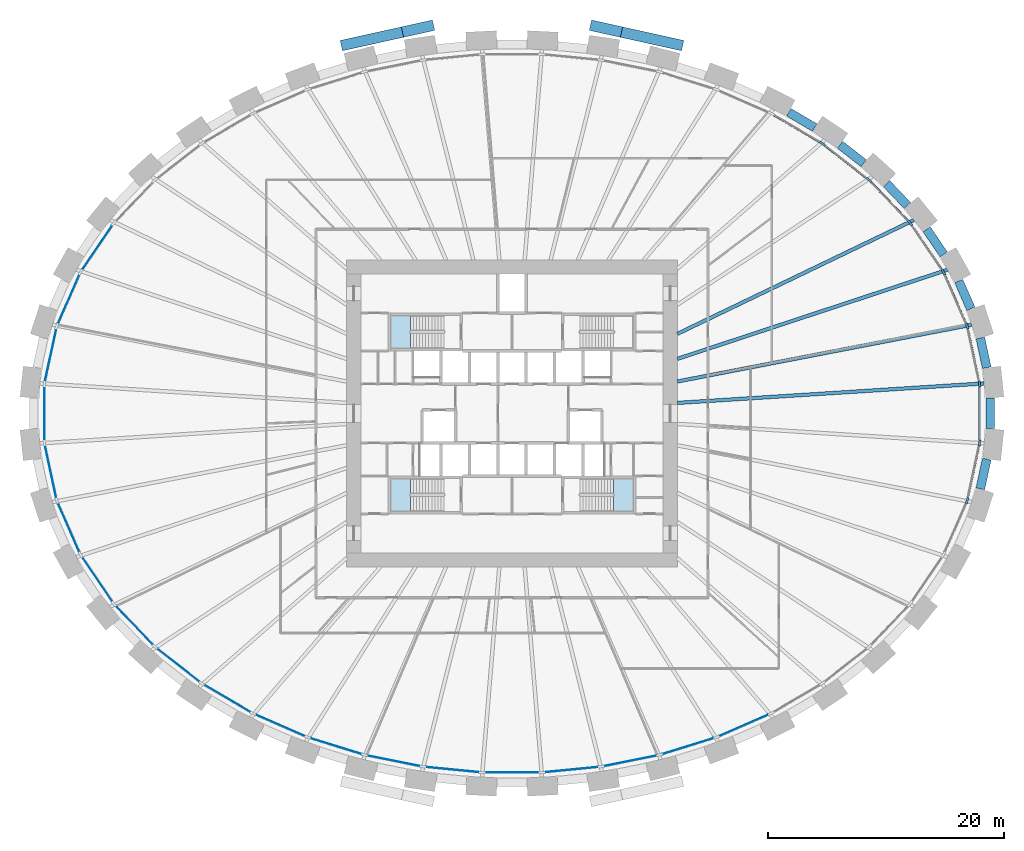
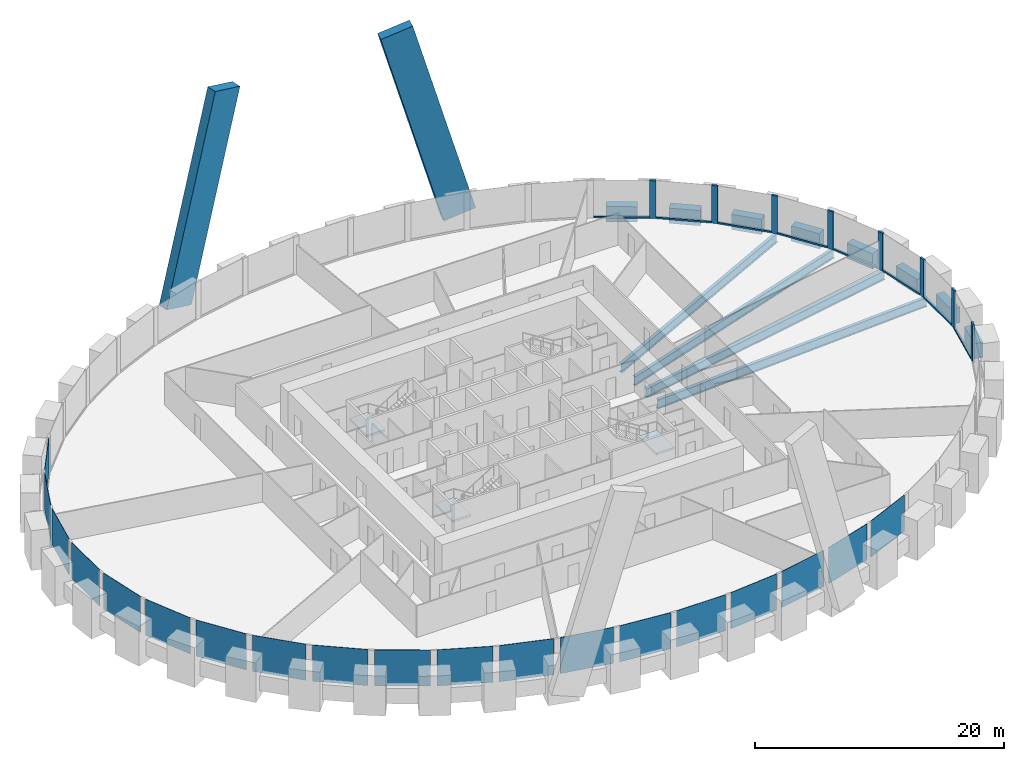
# One storey, part 4 of 11: 19 plates, 18 members, 12 beams, 3 slabs, 4 elements without a shape of their own.
"""IFC4 building model written with IfcOpenShell, lengths in metres."""

from ifc_helpers import new_model, si_unit, direction, frame, origin, origin_2d, place, context, subcontext, project, spatial, polyline, rectangle, i_section, outline, extrude, source, transform, mapped, material, layer, layer_set, material_profile, profile_set, type_object, element, aggregate, save


model = new_model("IFC4")

# Units and contexts
model_context = context("Model", 3, precision=1e-05, world=origin(), true_north=direction((0.0, 1.0)))
body_context = subcontext(model_context, "Body", "Model", "MODEL_VIEW")
ifc_project = project(units=[si_unit("LENGTHUNIT", "METRE"), si_unit("AREAUNIT", "SQUARE_METRE"), si_unit("VOLUMEUNIT", "CUBIC_METRE"), si_unit("PLANEANGLEUNIT", "RADIAN"), si_unit("MASSUNIT", "GRAM", prefix="KILO")], contexts=[model_context])

# Site, building, storey
site_placement = place(None, origin())
site = spatial("IfcSite", under=ifc_project, at=site_placement, CompositionType="ELEMENT")
building_placement = place(site_placement, origin())
building = spatial("IfcBuilding", under=site, at=building_placement, Name="Embergate Tower", CompositionType="ELEMENT")
storey_placement = place(building_placement, frame((0.0, 0.0, 73.699951171875)))
storey = spatial("IfcBuildingStorey", under=building, at=storey_placement, Name="L14", CompositionType="ELEMENT", Elevation=73.699951171875)

# Beams
ifc_material_1 = material(Name="Concrete C70", Category="concrete")
ifc_material_profile_1 = material_profile(ifc_material_1, rectangle(XDim=0.75, YDim=1.5, at=origin_2d()), Name="RC 750x1500")
ifc_profile_set_1 = profile_set([ifc_material_profile_1], Name="Concrete C70")
beam_type_1 = type_object("IfcBeamType", Name="Spandrel beam RC 750x1500 C70", PredefinedType="BEAM", material=ifc_profile_set_1)
shared_shape_1 = source(origin(), body_context, "Body", "SweptSolid", [
    extrude(rectangle(XDim=0.75, YDim=1.5, at=origin_2d()), origin(), (0.0, 0.0, 1.0), 2.5498046875),
])
beam_1_placement = place(storey_placement, frame((33.48388671875, 17.60791015625, 0.0), z_axis=(-0.689760361446, 0.724037736432, 0.0), x_axis=(-0.724037736432, -0.689760361446, 0.0)))
element("IfcBeam", 1, at=beam_1_placement, inside=storey, type_object=beam_type_1, Name="SPN-L14-03", PredefinedType="BEAM", context=body_context, shape_type="MappedRepresentation", body=[
    mapped(shared_shape_1, transform((0.0, 0.0, 0.0))),
])
shared_shape_2 = source(origin(), body_context, "Body", "SweptSolid", [
    extrude(rectangle(XDim=0.75, YDim=1.5, at=origin_2d()), origin(), (0.0, 0.0, 1.0), 2.5693359375),
])
for number, where, z_axis, x_axis, name in (
    (2, (40.201904296875, 3.87109375, 0.0), (-0.210093623492, 0.977681271871, 0.0), (-0.977681271871, -0.210093623492, 0.0), "SPN-L14-00"),
    (3, (39.662109375, -6.383056640625, 0.0), (0.210093623492, 0.977681271871, 0.0), (-0.977681271871, 0.210093623492, 0.0), "SPN-L14-42"),
):
    element("IfcBeam", number, at=place(storey_placement, frame(where, z_axis=z_axis, x_axis=x_axis)), inside=storey, type_object=beam_type_1, Name=name, PredefinedType="BEAM", context=body_context, shape_type="MappedRepresentation", body=[
        mapped(shared_shape_2, transform((0.0, 0.0, 0.0))),
    ])
shared_shape_3 = source(origin(), body_context, "Body", "SweptSolid", [
    extrude(rectangle(XDim=0.75, YDim=1.5, at=origin_2d()), origin(), (0.0, 0.0, 1.0), 2.56591796875),
])
beam_2_placement = place(storey_placement, frame((38.862060546875, 8.85693359375, 0.0), z_axis=(-0.401427690069, 0.915890719271, 0.0), x_axis=(-0.915890719271, -0.401427690069, 0.0)))
element("IfcBeam", 4, at=beam_2_placement, inside=storey, type_object=beam_type_1, Name="SPN-L14-01", PredefinedType="BEAM", context=body_context, shape_type="MappedRepresentation", body=[
    mapped(shared_shape_3, transform((0.0, 0.0, 0.0))),
])
shared_shape_4 = source(origin(), body_context, "Body", "SweptSolid", [
    extrude(rectangle(XDim=0.75, YDim=1.5, at=origin_2d()), origin(), (0.0, 0.0, 1.0), 2.556640625),
])
beam_3_placement = place(storey_placement, frame((36.555908203125, 13.471923828125, 0.0), z_axis=(-0.562432772417, 0.826843018058, 0.0), x_axis=(-0.826843018058, -0.562432772417, 0.0)))
element("IfcBeam", 5, at=beam_3_placement, inside=storey, type_object=beam_type_1, Name="SPN-L14-02", PredefinedType="BEAM", context=body_context, shape_type="MappedRepresentation", body=[
    mapped(shared_shape_4, transform((0.0, 0.0, 0.0))),
])
shared_shape_5 = source(origin(), body_context, "Body", "SweptSolid", [
    extrude(rectangle(XDim=0.75, YDim=1.5, at=origin_2d()), origin(), (0.0, 0.0, 1.0), 2.542724609375),
])
beam_4_placement = place(storey_placement, frame((29.783935546875, 21.18408203125, 0.0), z_axis=(-0.788472504965, 0.615070003264, 0.0), x_axis=(-0.615070003264, -0.788472504965, 0.0)))
element("IfcBeam", 6, at=beam_4_placement, inside=storey, type_object=beam_type_1, Name="SPN-L14-04", PredefinedType="BEAM", context=body_context, shape_type="MappedRepresentation", body=[
    mapped(shared_shape_5, transform((0.0, 0.0, 0.0))),
])
shared_shape_6 = source(origin(), body_context, "Body", "SweptSolid", [
    extrude(rectangle(XDim=0.75, YDim=1.5, at=origin_2d()), origin(), (0.0, 0.0, 1.0), 2.537109375),
])
beam_5_placement = place(storey_placement, frame((25.62890625, 24.2099609375, 0.0), z_axis=(-0.861993577549, 0.506919196978, 0.0), x_axis=(-0.506919196978, -0.861993577549, 0.0)))
element("IfcBeam", 7, at=beam_5_placement, inside=storey, type_object=beam_type_1, Name="SPN-L14-05", PredefinedType="BEAM", context=body_context, shape_type="MappedRepresentation", body=[
    mapped(shared_shape_6, transform((0.0, 0.0, 0.0))),
])
shared_shape_7 = source(origin(), body_context, "Body", "SweptSolid", [
    extrude(rectangle(XDim=0.75, YDim=1.5, at=origin_2d()), origin(), (0.0, 0.0, 1.0), 2.576171875),
])
beam_6_placement = place(storey_placement, frame((40.4970703125, -1.2880859375, 0.0), z_axis=(0.0, 1.0, 0.0), x_axis=(-1.0, 0.0, 0.0)))
element("IfcBeam", 8, at=beam_6_placement, inside=storey, type_object=beam_type_1, Name="SPN-L14-43", PredefinedType="BEAM", context=body_context, shape_type="MappedRepresentation", body=[
    mapped(shared_shape_7, transform((0.0, 0.0, 0.0))),
])
ifc_material_2 = material(Name="Steel Q355B", Category="steel")
ifc_material_profile_2 = material_profile(ifc_material_2, i_section(OverallWidth=0.300048828125, OverallDepth=0.89990234375, WebThickness=0.01611328125, FlangeThickness=0.028076171875, FilletRadius=0.028076171875, at=origin_2d()), Name="HN 900x300x16x28")
ifc_profile_set_2 = profile_set([ifc_material_profile_2], Name="Steel Q355 grade B")
beam_type_2 = type_object("IfcBeamType", Name="Radial girder HN 900x300x16x28", PredefinedType="BEAM", material=ifc_profile_set_2)
shared_shape_8 = source(origin(), body_context, "Body", "SweptSolid", [
    extrude(i_section(OverallWidth=0.300048828125, OverallDepth=0.89990234375, WebThickness=0.01611328125, FlangeThickness=0.028076171875, FilletRadius=0.028076171875, at=origin_2d()), origin(), (0.0, 0.0, 1.0), 26.034423828125),
])
beam_7_placement = place(storey_placement, frame((39.98193359375, 2.5400390625, -0.64990234375), z_axis=(-0.997986864702, -0.063420957753, 0.0), x_axis=(0.063420957753, -0.997986864702, 0.0)))
element("IfcBeam", 9, at=beam_7_placement, inside=storey, type_object=beam_type_2, Name="GIR-L14-00", PredefinedType="BEAM", context=body_context, shape_type="MappedRepresentation", body=[
    mapped(shared_shape_8, transform((0.0, 0.0, 0.0))),
])
shared_shape_9 = source(origin(), body_context, "Body", "SweptSolid", [
    extrude(i_section(OverallWidth=0.300048828125, OverallDepth=0.89990234375, WebThickness=0.01611328125, FlangeThickness=0.028076171875, FilletRadius=0.028076171875, at=origin_2d()), origin(), (0.0, 0.0, 1.0), 25.373291015625),
])
beam_8_placement = place(storey_placement, frame((38.9140625, 7.507080078125, -0.64990234375), z_axis=(-0.981896748495, -0.189416935078, 0.0), x_axis=(0.189416935078, -0.981896748495, 0.0)))
element("IfcBeam", 10, at=beam_8_placement, inside=storey, type_object=beam_type_2, Name="GIR-L14-01", PredefinedType="BEAM", context=body_context, shape_type="MappedRepresentation", body=[
    mapped(shared_shape_9, transform((0.0, 0.0, 0.0))),
])
shared_shape_10 = source(origin(), body_context, "Body", "SweptSolid", [
    extrude(i_section(OverallWidth=0.300048828125, OverallDepth=0.89990234375, WebThickness=0.01611328125, FlangeThickness=0.028076171875, FilletRadius=0.028076171875, at=origin_2d()), origin(), (0.0, 0.0, 1.0), 24.0849609375),
])
beam_9_placement = place(storey_placement, frame((36.873046875, 12.160888671875, -0.64990234375), z_axis=(-0.949680038857, -0.313221684748, 0.0), x_axis=(0.313221684748, -0.949680038857, 0.0)))
element("IfcBeam", 11, at=beam_9_placement, inside=storey, type_object=beam_type_2, Name="GIR-L14-02", PredefinedType="BEAM", context=body_context, shape_type="MappedRepresentation", body=[
    mapped(shared_shape_10, transform((0.0, 0.0, 0.0))),
])
shared_shape_11 = source(origin(), body_context, "Body", "SweptSolid", [
    extrude(i_section(OverallWidth=0.300048828125, OverallDepth=0.89990234375, WebThickness=0.01611328125, FlangeThickness=0.028076171875, FilletRadius=0.028076171875, at=origin_2d()), origin(), (0.0, 0.0, 1.0), 22.210693359375),
])
beam_10_placement = place(storey_placement, frame((34.014892578125, 16.364013671875, -0.64990234375), z_axis=(-0.90114054222, -0.433527073165, 0.0), x_axis=(0.433527073165, -0.90114054222, 0.0)))
element("IfcBeam", 12, at=beam_10_placement, inside=storey, type_object=beam_type_2, Name="GIR-L14-03", PredefinedType="BEAM", context=body_context, shape_type="MappedRepresentation", body=[
    mapped(shared_shape_11, transform((0.0, 0.0, 0.0))),
])

# Members
ifc_material_profile_3 = material_profile(ifc_material_1, rectangle(XDim=0.89990234375, YDim=2.800048828125, at=origin_2d()), Name="RC 900x2800")
ifc_profile_set_3 = profile_set([ifc_material_profile_3], Name="Concrete C70")
member_type_1 = type_object("IfcMemberType", Name="Lattice diagonal terracotta-faced RC 900x2800", PredefinedType="BRACE", material=ifc_profile_set_3)
shared_shape_12 = source(origin(), body_context, "Body", "SweptSolid", [
    extrude(rectangle(XDim=0.89990234375, YDim=2.800048828125, at=origin_2d()), origin(), (0.0, 0.0, 1.0), 19.676025390625),
])
for number, where, z_axis, x_axis, name in (
    (13, (13.136962890625, 31.43310546875, 0.032958984375), (-0.26326188812, 0.05844198016, 0.962952601751), (-0.216716091224, -0.976234672507, 0.0), "BRP-N-0-03"),
    (14, (-13.136962890625, 31.43310546875, 0.032958984375), (0.26326188812, 0.05844198016, 0.962952601751), (-0.216716091224, 0.976234672507, 0.0), "BRP-N-1-03"),
):
    element("IfcMember", number, at=place(storey_placement, frame(where, z_axis=z_axis, x_axis=x_axis)), inside=storey, type_object=member_type_1, Name=name, PredefinedType="BRACE", context=body_context, shape_type="MappedRepresentation", body=[
        mapped(shared_shape_12, transform((0.0, 0.0, 0.0))),
    ])

# Curtain wall, members, plates
ifc_material_3 = material(Name="Aluminium and glass", Category="aluminium")
curtain_wall_type = type_object("IfcCurtainWallType", Name="Recessed office glazing", PredefinedType="NOTDEFINED", material=ifc_material_3)
curtain_wall_placement = place(storey_placement, origin())
curtain_wall = element("IfcCurtainWall", 15, at=curtain_wall_placement, inside=storey, type_object=curtain_wall_type, Name="Recessed office glazing ring", ObjectType="RECESSED OFFICE GLAZING", PredefinedType="USERDEFINED")
ifc_material_4 = material(Name="Aluminium, thermally broken", Category="aluminium")
ifc_material_profile_4 = material_profile(ifc_material_4, rectangle(XDim=0.179931640625, YDim=0.52001953125, at=origin_2d()), Name="AL 520x180")
ifc_profile_set_4 = profile_set([ifc_material_profile_4], Name="Aluminium, thermally broken")
member_type_2 = type_object("IfcMemberType", Name="Office mullion", PredefinedType="MULLION", material=ifc_profile_set_4)
shared_shape_13 = source(origin(), body_context, "Body", "SweptSolid", [
    extrude(rectangle(XDim=0.179931640625, YDim=0.52001953125, at=origin_2d()), origin(), (0.0, 0.0, 1.0), 3.699951171875),
])
member_1_placement = place(storey_placement, frame((39.59521484375, 2.498291015625, 0.0), z_axis=(0.0, 0.0, 1.0), x_axis=(-0.994385324123, -0.105819786286, 0.0)))
member_1 = element("IfcMember", 16, at=member_1_placement, type_object=member_type_2, Name="CW mullion 1", PredefinedType="MULLION", context=body_context, shape_type="MappedRepresentation", body=[
    mapped(shared_shape_13, transform((0.0, 0.0, 0.0))),
])
member_2_placement = place(storey_placement, frame((38.543212890625, 7.3857421875, 0.0), z_axis=(0.0, 0.0, 1.0), x_axis=(-0.951501019702, -0.307645590748, 0.0)))
member_2 = element("IfcMember", 17, at=member_2_placement, type_object=member_type_2, Name="CW mullion 2", PredefinedType="MULLION", context=body_context, shape_type="MappedRepresentation", body=[
    mapped(shared_shape_13, transform((0.0, 0.0, 0.0))),
])
member_3_placement = place(storey_placement, frame((36.532470703125, 11.970458984375, 0.0), z_axis=(0.0, 0.0, 1.0), x_axis=(-0.875007810402, -0.484108801547, 0.0)))
member_3 = element("IfcMember", 18, at=member_3_placement, type_object=member_type_2, Name="CW mullion 3", PredefinedType="MULLION", context=body_context, shape_type="MappedRepresentation", body=[
    mapped(shared_shape_13, transform((0.0, 0.0, 0.0))),
])
member_4_placement = place(storey_placement, frame((33.712158203125, 16.11767578125, 0.0), z_axis=(0.0, 0.0, 1.0), x_axis=(-0.777880241921, -0.628412547002, 0.0)))
member_4 = element("IfcMember", 19, at=member_4_placement, type_object=member_type_2, Name="CW mullion 4", PredefinedType="MULLION", context=body_context, shape_type="MappedRepresentation", body=[
    mapped(shared_shape_13, transform((0.0, 0.0, 0.0))),
])
member_5_placement = place(storey_placement, frame((30.2451171875, 19.75341796875, 0.0), z_axis=(0.0, 0.0, 1.0), x_axis=(-0.671234296295, -0.74124524921, 0.0)))
member_5 = element("IfcMember", 20, at=member_5_placement, type_object=member_type_2, Name="CW mullion 5", PredefinedType="MULLION", context=body_context, shape_type="MappedRepresentation", body=[
    mapped(shared_shape_13, transform((0.0, 0.0, 0.0))),
])
member_6_placement = place(storey_placement, frame((26.278564453125, 22.849365234375, 0.0), z_axis=(0.0, 0.0, 1.0), x_axis=(-0.562223392005, -0.826985403428, 0.0)))
member_6 = element("IfcMember", 21, at=member_6_placement, type_object=member_type_2, Name="CW mullion 6", PredefinedType="MULLION", context=body_context, shape_type="MappedRepresentation", body=[
    mapped(shared_shape_13, transform((0.0, 0.0, 0.0))),
])
member_7_placement = place(storey_placement, frame((38.543212890625, -7.3857421875, 0.0), z_axis=(0.0, 0.0, 1.0), x_axis=(-0.951501019702, 0.307645590748, 0.0)))
member_7 = element("IfcMember", 22, at=member_7_placement, type_object=member_type_2, Name="CW mullion 43", PredefinedType="MULLION", context=body_context, shape_type="MappedRepresentation", body=[
    mapped(shared_shape_13, transform((0.0, 0.0, 0.0))),
])
member_8_placement = place(storey_placement, frame((39.59521484375, -2.498291015625, 0.0), z_axis=(0.0, 0.0, 1.0), x_axis=(-0.994385324123, 0.105819786286, 0.0)))
member_8 = element("IfcMember", 23, at=member_8_placement, type_object=member_type_2, Name="CW mullion 44", PredefinedType="MULLION", context=body_context, shape_type="MappedRepresentation", body=[
    mapped(shared_shape_13, transform((0.0, 0.0, 0.0))),
])
ifc_material_profile_5 = material_profile(ifc_material_4, rectangle(XDim=0.179931640625, YDim=0.14990234375, at=origin_2d()), Name="AL 150x180")
ifc_profile_set_5 = profile_set([ifc_material_profile_5], Name="Aluminium, thermally broken")
member_type_3 = type_object("IfcMemberType", Name="Office sill transom", PredefinedType="USERDEFINED", material=ifc_profile_set_5)
shared_shape_14 = source(origin(), body_context, "Body", "SweptSolid", [
    extrude(rectangle(XDim=0.179931640625, YDim=0.14990234375, at=origin_2d()), origin(), (0.0, 0.0, 1.0), 4.50390625),
])
member_9_placement = place(storey_placement, frame((33.53271484375, 16.305908203125, 0.074951171875), z_axis=(-0.69015852771, 0.723658211194, 0.0), x_axis=(-0.723658211194, -0.69015852771, 0.0)))
member_9 = element("IfcMember", 24, at=member_9_placement, type_object=member_type_3, Name="CW transom 4.1", ObjectType="TRANSOM", PredefinedType="USERDEFINED", context=body_context, shape_type="MappedRepresentation", body=[
    mapped(shared_shape_14, transform((0.0, 0.0, 0.0))),
])
shared_shape_15 = source(origin(), body_context, "Body", "SweptSolid", [
    extrude(rectangle(XDim=0.179931640625, YDim=0.14990234375, at=origin_2d()), origin(), (0.0, 0.0, 1.0), 4.4794921875),
])
member_10_placement = place(storey_placement, frame((39.540283203125, 2.75244140625, 0.074951171875), z_axis=(-0.210381382065, 0.977619391216, 0.0), x_axis=(-0.977619391216, -0.210381382065, 0.0)))
member_10 = element("IfcMember", 25, at=member_10_placement, type_object=member_type_3, Name="CW transom 1.1", ObjectType="TRANSOM", PredefinedType="USERDEFINED", context=body_context, shape_type="MappedRepresentation", body=[
    mapped(shared_shape_15, transform((0.0, 0.0, 0.0))),
])
member_11_placement = place(storey_placement, frame((38.597900390625, -7.131591796875, 0.074951171875), z_axis=(0.210381382065, 0.977619391216, 0.0), x_axis=(-0.977619391216, 0.210381382065, 0.0)))
member_11 = element("IfcMember", 26, at=member_11_placement, type_object=member_type_3, Name="CW transom 43.1", ObjectType="TRANSOM", PredefinedType="USERDEFINED", context=body_context, shape_type="MappedRepresentation", body=[
    mapped(shared_shape_15, transform((0.0, 0.0, 0.0))),
])
shared_shape_16 = source(origin(), body_context, "Body", "SweptSolid", [
    extrude(rectangle(XDim=0.179931640625, YDim=0.14990234375, at=origin_2d()), origin(), (0.0, 0.0, 1.0), 4.486328125),
])
member_12_placement = place(storey_placement, frame((38.43896484375, 7.623779296875, 0.074951171875), z_axis=(-0.401655089719, 0.915791018138, 0.0), x_axis=(-0.915791018138, -0.401655089719, 0.0)))
member_12 = element("IfcMember", 27, at=member_12_placement, type_object=member_type_3, Name="CW transom 2.1", ObjectType="TRANSOM", PredefinedType="USERDEFINED", context=body_context, shape_type="MappedRepresentation", body=[
    mapped(shared_shape_16, transform((0.0, 0.0, 0.0))),
])
shared_shape_17 = source(origin(), body_context, "Body", "SweptSolid", [
    extrude(rectangle(XDim=0.179931640625, YDim=0.14990234375, at=origin_2d()), origin(), (0.0, 0.0, 1.0), 4.4951171875),
])
member_13_placement = place(storey_placement, frame((36.38623046875, 12.185546875, 0.074951171875), z_axis=(-0.562347159837, 0.826901246718, 0.0), x_axis=(-0.826901246718, -0.562347159837, 0.0)))
member_13 = element("IfcMember", 28, at=member_13_placement, type_object=member_type_3, Name="CW transom 3.1", ObjectType="TRANSOM", PredefinedType="USERDEFINED", context=body_context, shape_type="MappedRepresentation", body=[
    mapped(shared_shape_17, transform((0.0, 0.0, 0.0))),
])
shared_shape_18 = source(origin(), body_context, "Body", "SweptSolid", [
    extrude(rectangle(XDim=0.179931640625, YDim=0.14990234375, at=origin_2d()), origin(), (0.0, 0.0, 1.0), 4.511474609375),
])
member_14_placement = place(storey_placement, frame((30.0400390625, 19.91357421875, 0.074951171875), z_axis=(-0.788345870827, 0.615232304052, 0.0), x_axis=(-0.615232304052, -0.788345870827, 0.0)))
member_14 = element("IfcMember", 29, at=member_14_placement, type_object=member_type_3, Name="CW transom 5.1", ObjectType="TRANSOM", PredefinedType="USERDEFINED", context=body_context, shape_type="MappedRepresentation", body=[
    mapped(shared_shape_18, transform((0.0, 0.0, 0.0))),
])
shared_shape_19 = source(origin(), body_context, "Body", "SweptSolid", [
    extrude(rectangle(XDim=0.179931640625, YDim=0.14990234375, at=origin_2d()), origin(), (0.0, 0.0, 1.0), 4.517578125),
])
member_15_placement = place(storey_placement, frame((26.054443359375, 22.981201171875, 0.074951171875), z_axis=(-0.862064774491, 0.506798110279, 0.0), x_axis=(-0.506798110279, -0.862064774491, 0.0)))
member_15 = element("IfcMember", 30, at=member_15_placement, type_object=member_type_3, Name="CW transom 6.1", ObjectType="TRANSOM", PredefinedType="USERDEFINED", context=body_context, shape_type="MappedRepresentation", body=[
    mapped(shared_shape_19, transform((0.0, 0.0, 0.0))),
])
shared_shape_20 = source(origin(), body_context, "Body", "SweptSolid", [
    extrude(rectangle(XDim=0.179931640625, YDim=0.14990234375, at=origin_2d()), origin(), (0.0, 0.0, 1.0), 4.4765625),
])
member_16_placement = place(storey_placement, frame((39.59521484375, -2.23828125, 0.074951171875), z_axis=(0.0, 1.0, 0.0), x_axis=(-1.0, 0.0, 0.0)))
member_16 = element("IfcMember", 31, at=member_16_placement, type_object=member_type_3, Name="CW transom 44.1", ObjectType="TRANSOM", PredefinedType="USERDEFINED", context=body_context, shape_type="MappedRepresentation", body=[
    mapped(shared_shape_20, transform((0.0, 0.0, 0.0))),
])
ifc_material_5 = material(Name="Triple glazing, low-emissivity coating", Category="glass")
ifc_layer_1 = layer(ifc_material_5, 0.035888671875)
ifc_layer_set_1 = layer_set([ifc_layer_1], Name="Triple glazing, low-emissivity coating")
plate_type = type_object("IfcPlateType", Name="Office glazing unit", PredefinedType="CURTAIN_PANEL", material=ifc_layer_set_1)
shared_shape_21 = source(origin(), body_context, "Body", "SweptSolid", [
    extrude(rectangle(XDim=4.50390625, YDim=0.035888671875, at=origin_2d()), origin(), (0.0, 0.0, 1.0), 3.550048828125),
])
plate_1_placement = place(storey_placement, frame((-31.978515625, -17.935546875, 0.14990234375), z_axis=(0.0, 0.0, 1.0), x_axis=(0.690129995266, -0.723685421737, 0.0)))
plate_1 = element("IfcPlate", 32, at=plate_1_placement, type_object=plate_type, Name="CW panel 26.1", PredefinedType="CURTAIN_PANEL", context=body_context, shape_type="MappedRepresentation", body=[
    mapped(shared_shape_21, transform((0.0, 0.0, 0.0))),
])
shared_shape_22 = source(origin(), body_context, "Body", "SweptSolid", [
    extrude(rectangle(XDim=4.479248046875, YDim=0.035888671875, at=origin_2d()), origin(), (0.0, 0.0, 1.0), 3.550048828125),
])
plate_2_placement = place(storey_placement, frame((-39.069091796875, 4.94189453125, 0.14990234375), z_axis=(0.0, 0.0, 1.0), x_axis=(-0.210394978653, -0.977616465163, 0.0)))
plate_2 = element("IfcPlate", 33, at=plate_2_placement, type_object=plate_type, Name="CW panel 21.1", PredefinedType="CURTAIN_PANEL", context=body_context, shape_type="MappedRepresentation", body=[
    mapped(shared_shape_22, transform((0.0, 0.0, 0.0))),
])
plate_3_placement = place(storey_placement, frame((-39.069091796875, -4.94189453125, 0.14990234375), z_axis=(0.0, 0.0, 1.0), x_axis=(0.210394978653, -0.977616465163, 0.0)))
plate_3 = element("IfcPlate", 34, at=plate_3_placement, type_object=plate_type, Name="CW panel 23.1", PredefinedType="CURTAIN_PANEL", context=body_context, shape_type="MappedRepresentation", body=[
    mapped(shared_shape_22, transform((0.0, 0.0, 0.0))),
])
shared_shape_23 = source(origin(), body_context, "Body", "SweptSolid", [
    extrude(rectangle(XDim=4.486328125, YDim=0.035888671875, at=origin_2d()), origin(), (0.0, 0.0, 1.0), 3.550048828125),
])
plate_4_placement = place(storey_placement, frame((-37.537841796875, 9.677978515625, 0.14990234375), z_axis=(0.0, 0.0, 1.0), x_axis=(-0.401647306074, -0.915794431913, 0.0)))
plate_4 = element("IfcPlate", 35, at=plate_4_placement, type_object=plate_type, Name="CW panel 20.1", PredefinedType="CURTAIN_PANEL", context=body_context, shape_type="MappedRepresentation", body=[
    mapped(shared_shape_23, transform((0.0, 0.0, 0.0))),
])
plate_5_placement = place(storey_placement, frame((-37.537841796875, -9.677978515625, 0.14990234375), z_axis=(0.0, 0.0, 1.0), x_axis=(0.401647306074, -0.915794431913, 0.0)))
plate_5 = element("IfcPlate", 36, at=plate_5_placement, type_object=plate_type, Name="CW panel 24.1", PredefinedType="CURTAIN_PANEL", context=body_context, shape_type="MappedRepresentation", body=[
    mapped(shared_shape_23, transform((0.0, 0.0, 0.0))),
])
shared_shape_24 = source(origin(), body_context, "Body", "SweptSolid", [
    extrude(rectangle(XDim=4.495361328125, YDim=0.035888671875, at=origin_2d()), origin(), (0.0, 0.0, 1.0), 3.550048828125),
])
plate_6_placement = place(storey_placement, frame((-35.122314453125, 14.044189453125, 0.14990234375), z_axis=(0.0, 0.0, 1.0), x_axis=(-0.562337412243, -0.826907875638, 0.0)))
plate_6 = element("IfcPlate", 37, at=plate_6_placement, type_object=plate_type, Name="CW panel 19.1", PredefinedType="CURTAIN_PANEL", context=body_context, shape_type="MappedRepresentation", body=[
    mapped(shared_shape_24, transform((0.0, 0.0, 0.0))),
])
plate_7_placement = place(storey_placement, frame((-35.122314453125, -14.044189453125, 0.14990234375), z_axis=(0.0, 0.0, 1.0), x_axis=(0.562337412243, -0.826907875638, 0.0)))
plate_7 = element("IfcPlate", 38, at=plate_7_placement, type_object=plate_type, Name="CW panel 25.1", PredefinedType="CURTAIN_PANEL", context=body_context, shape_type="MappedRepresentation", body=[
    mapped(shared_shape_24, transform((0.0, 0.0, 0.0))),
])
shared_shape_25 = source(origin(), body_context, "Body", "SweptSolid", [
    extrude(rectangle(XDim=4.51171875, YDim=0.035888671875, at=origin_2d()), origin(), (0.0, 0.0, 1.0), 3.550048828125),
])
plate_8_placement = place(storey_placement, frame((-28.26171875, -21.301513671875, 0.14990234375), z_axis=(0.0, 0.0, 1.0), x_axis=(0.788316897722, -0.615269427784, 0.0)))
plate_8 = element("IfcPlate", 39, at=plate_8_placement, type_object=plate_type, Name="CW panel 27.1", PredefinedType="CURTAIN_PANEL", context=body_context, shape_type="MappedRepresentation", body=[
    mapped(shared_shape_25, transform((0.0, 0.0, 0.0))),
])
shared_shape_26 = source(origin(), body_context, "Body", "SweptSolid", [
    extrude(rectangle(XDim=4.517578125, YDim=0.035888671875, at=origin_2d()), origin(), (0.0, 0.0, 1.0), 3.550048828125),
])
plate_9_placement = place(storey_placement, frame((-24.107177734375, -24.1259765625, 0.14990234375), z_axis=(0.0, 0.0, 1.0), x_axis=(0.862050514108, -0.506822366443, 0.0)))
plate_9 = element("IfcPlate", 40, at=plate_9_placement, type_object=plate_type, Name="CW panel 28.1", PredefinedType="CURTAIN_PANEL", context=body_context, shape_type="MappedRepresentation", body=[
    mapped(shared_shape_26, transform((0.0, 0.0, 0.0))),
])
shared_shape_27 = source(origin(), body_context, "Body", "SweptSolid", [
    extrude(rectangle(XDim=4.522216796875, YDim=0.035888671875, at=origin_2d()), origin(), (0.0, 0.0, 1.0), 3.550048828125),
])
plate_10_placement = place(storey_placement, frame((-19.6259765625, -26.41259765625, 0.14990234375), z_axis=(0.0, 0.0, 1.0), x_axis=(0.91623411399, -0.400643293168, 0.0)))
plate_10 = element("IfcPlate", 41, at=plate_10_placement, type_object=plate_type, Name="CW panel 29.1", PredefinedType="CURTAIN_PANEL", context=body_context, shape_type="MappedRepresentation", body=[
    mapped(shared_shape_27, transform((0.0, 0.0, 0.0))),
])
plate_11_placement = place(storey_placement, frame((19.6259765625, -26.41259765625, 0.14990234375), z_axis=(0.0, 0.0, 1.0), x_axis=(0.91623411399, 0.400643293168, 0.0)))
plate_11 = element("IfcPlate", 42, at=plate_11_placement, type_object=plate_type, Name="CW panel 37.1", PredefinedType="CURTAIN_PANEL", context=body_context, shape_type="MappedRepresentation", body=[
    mapped(shared_shape_27, transform((0.0, 0.0, 0.0))),
])
shared_shape_28 = source(origin(), body_context, "Body", "SweptSolid", [
    extrude(rectangle(XDim=4.525390625, YDim=0.035888671875, at=origin_2d()), origin(), (0.0, 0.0, 1.0), 3.550048828125),
])
plate_12_placement = place(storey_placement, frame((-14.9072265625, -28.172607421875, 0.14990234375), z_axis=(0.0, 0.0, 1.0), x_axis=(0.954771179262, -0.297341546458, 0.0)))
plate_12 = element("IfcPlate", 43, at=plate_12_placement, type_object=plate_type, Name="CW panel 30.1", PredefinedType="CURTAIN_PANEL", context=body_context, shape_type="MappedRepresentation", body=[
    mapped(shared_shape_28, transform((0.0, 0.0, 0.0))),
])
plate_13_placement = place(storey_placement, frame((14.9072265625, -28.172607421875, 0.14990234375), z_axis=(0.0, 0.0, 1.0), x_axis=(0.954771179262, 0.297341546458, 0.0)))
plate_13 = element("IfcPlate", 44, at=plate_13_placement, type_object=plate_type, Name="CW panel 36.1", PredefinedType="CURTAIN_PANEL", context=body_context, shape_type="MappedRepresentation", body=[
    mapped(shared_shape_28, transform((0.0, 0.0, 0.0))),
])
shared_shape_29 = source(origin(), body_context, "Body", "SweptSolid", [
    extrude(rectangle(XDim=4.527587890625, YDim=0.035888671875, at=origin_2d()), origin(), (0.0, 0.0, 1.0), 3.550048828125),
])
plate_14_placement = place(storey_placement, frame((-10.024169921875, -29.419189453125, 0.14990234375), z_axis=(0.0, 0.0, 1.0), x_axis=(0.980475221003, -0.196642673395, 0.0)))
plate_14 = element("IfcPlate", 45, at=plate_14_placement, type_object=plate_type, Name="CW panel 31.1", PredefinedType="CURTAIN_PANEL", context=body_context, shape_type="MappedRepresentation", body=[
    mapped(shared_shape_29, transform((0.0, 0.0, 0.0))),
])
plate_15_placement = place(storey_placement, frame((10.024169921875, -29.419189453125, 0.14990234375), z_axis=(0.0, 0.0, 1.0), x_axis=(0.980475221003, 0.196642673395, 0.0)))
plate_15 = element("IfcPlate", 46, at=plate_15_placement, type_object=plate_type, Name="CW panel 35.1", PredefinedType="CURTAIN_PANEL", context=body_context, shape_type="MappedRepresentation", body=[
    mapped(shared_shape_29, transform((0.0, 0.0, 0.0))),
])
shared_shape_30 = source(origin(), body_context, "Body", "SweptSolid", [
    extrude(rectangle(XDim=4.529052734375, YDim=0.035888671875, at=origin_2d()), origin(), (0.0, 0.0, 1.0), 3.550048828125),
])
plate_16_placement = place(storey_placement, frame((-5.037109375, -30.162353515625, 0.14990234375), z_axis=(0.0, 0.0, 1.0), x_axis=(0.995203014042, -0.097831287645, 0.0)))
plate_16 = element("IfcPlate", 47, at=plate_16_placement, type_object=plate_type, Name="CW panel 32.1", PredefinedType="CURTAIN_PANEL", context=body_context, shape_type="MappedRepresentation", body=[
    mapped(shared_shape_30, transform((0.0, 0.0, 0.0))),
])
plate_17_placement = place(storey_placement, frame((5.037109375, -30.162353515625, 0.14990234375), z_axis=(0.0, 0.0, 1.0), x_axis=(0.995203014042, 0.097831287645, 0.0)))
plate_17 = element("IfcPlate", 48, at=plate_17_placement, type_object=plate_type, Name="CW panel 34.1", PredefinedType="CURTAIN_PANEL", context=body_context, shape_type="MappedRepresentation", body=[
    mapped(shared_shape_30, transform((0.0, 0.0, 0.0))),
])
shared_shape_31 = source(origin(), body_context, "Body", "SweptSolid", [
    extrude(rectangle(XDim=4.529296875, YDim=0.035888671875, at=origin_2d()), origin(), (0.0, 0.0, 1.0), 3.550048828125),
])
plate_18_placement = place(storey_placement, frame((0.0, -30.409423828125, 0.14990234375), z_axis=(0.0, 0.0, 1.0), x_axis=(1.0, 0.0, 0.0)))
plate_18 = element("IfcPlate", 49, at=plate_18_placement, type_object=plate_type, Name="CW panel 33.1", PredefinedType="CURTAIN_PANEL", context=body_context, shape_type="MappedRepresentation", body=[
    mapped(shared_shape_31, transform((0.0, 0.0, 0.0))),
])
shared_shape_32 = source(origin(), body_context, "Body", "SweptSolid", [
    extrude(rectangle(XDim=4.4765625, YDim=0.035888671875, at=origin_2d()), origin(), (0.0, 0.0, 1.0), 3.550048828125),
])
plate_19_placement = place(storey_placement, frame((-39.59521484375, 0.0, 0.14990234375), z_axis=(0.0, 0.0, 1.0), x_axis=(0.0, -1.0, 0.0)))
plate_19 = element("IfcPlate", 50, at=plate_19_placement, type_object=plate_type, Name="CW panel 22.1", PredefinedType="CURTAIN_PANEL", context=body_context, shape_type="MappedRepresentation", body=[
    mapped(shared_shape_32, transform((0.0, 0.0, 0.0))),
])
aggregate(curtain_wall, [member_1, member_2, member_3, member_4, member_5, member_6, member_7, member_8, member_10, member_12, member_13, member_9, member_14, member_15, plate_6, plate_4, plate_2, plate_19, plate_3, plate_5, plate_7, plate_1, plate_8, plate_9, plate_10, plate_12, plate_14, plate_16, plate_18, plate_17, plate_15, plate_13, plate_11, member_11, member_16])

# Stair, slab
ifc_material_6 = material(Name="Exit stair")
stair_type = type_object("IfcStairType", Name="Exit stair", PredefinedType="HALF_TURN_STAIR", material=ifc_material_6)
stair_1_placement = place(storey_placement, origin())
stair_1 = element("IfcStair", 51, at=stair_1_placement, inside=storey, type_object=stair_type, Name="L14 Exit stair 1", PredefinedType="HALF_TURN_STAIR")
ifc_material_7 = material(Name="Concrete C40", Category="concrete")
ifc_layer_2 = layer(ifc_material_7, 0.199951171875)
ifc_layer_set_2 = layer_set([ifc_layer_2], Name="Concrete C40")
slab_type = type_object("IfcSlabType", Name="Stair landing reinforced concrete", PredefinedType="LANDING", material=ifc_layer_set_2)
shared_shape_33 = source(origin(), body_context, "Body", "SweptSolid", [
    extrude(outline(polyline([(0.0, 0.0), (1.68994140625, 0.0), (1.68994140625, 2.800048828125), (0.0, 2.800048828125), (0.0, 0.0)])), origin(), (0.0, 0.0, 1.0), 0.199951171875),
])
slab_1_placement = place(storey_placement, frame((-10.300048828125, 5.5, 1.75)))
slab_1 = element("IfcSlab", 52, at=slab_1_placement, type_object=slab_type, Name="ST1 landing 1", PredefinedType="LANDING", context=body_context, shape_type="MappedRepresentation", body=[
    mapped(shared_shape_33, transform((0.0, 0.0, 0.0))),
])
aggregate(stair_1, [slab_1])

stair_2_placement = place(storey_placement, origin())
stair_2 = element("IfcStair", 53, at=stair_2_placement, inside=storey, type_object=stair_type, Name="L14 Exit stair 3", PredefinedType="HALF_TURN_STAIR")
slab_2_placement = place(storey_placement, frame((-10.300048828125, -8.300048828125, 1.75)))
slab_2 = element("IfcSlab", 54, at=slab_2_placement, type_object=slab_type, Name="ST3 landing 1", PredefinedType="LANDING", context=body_context, shape_type="MappedRepresentation", body=[
    mapped(shared_shape_33, transform((0.0, 0.0, 0.0))),
])
aggregate(stair_2, [slab_2])

stair_3_placement = place(storey_placement, origin())
stair_3 = element("IfcStair", 55, at=stair_3_placement, inside=storey, type_object=stair_type, Name="L14 Exit stair 4", PredefinedType="HALF_TURN_STAIR")
slab_3_placement = place(storey_placement, frame((8.610107421875, -8.300048828125, 1.75)))
slab_3 = element("IfcSlab", 56, at=slab_3_placement, type_object=slab_type, Name="ST4 landing 1", PredefinedType="LANDING", context=body_context, shape_type="MappedRepresentation", body=[
    mapped(shared_shape_33, transform((0.0, 0.0, 0.0))),
])
aggregate(stair_3, [slab_3])

save(model, "model.ifc")
